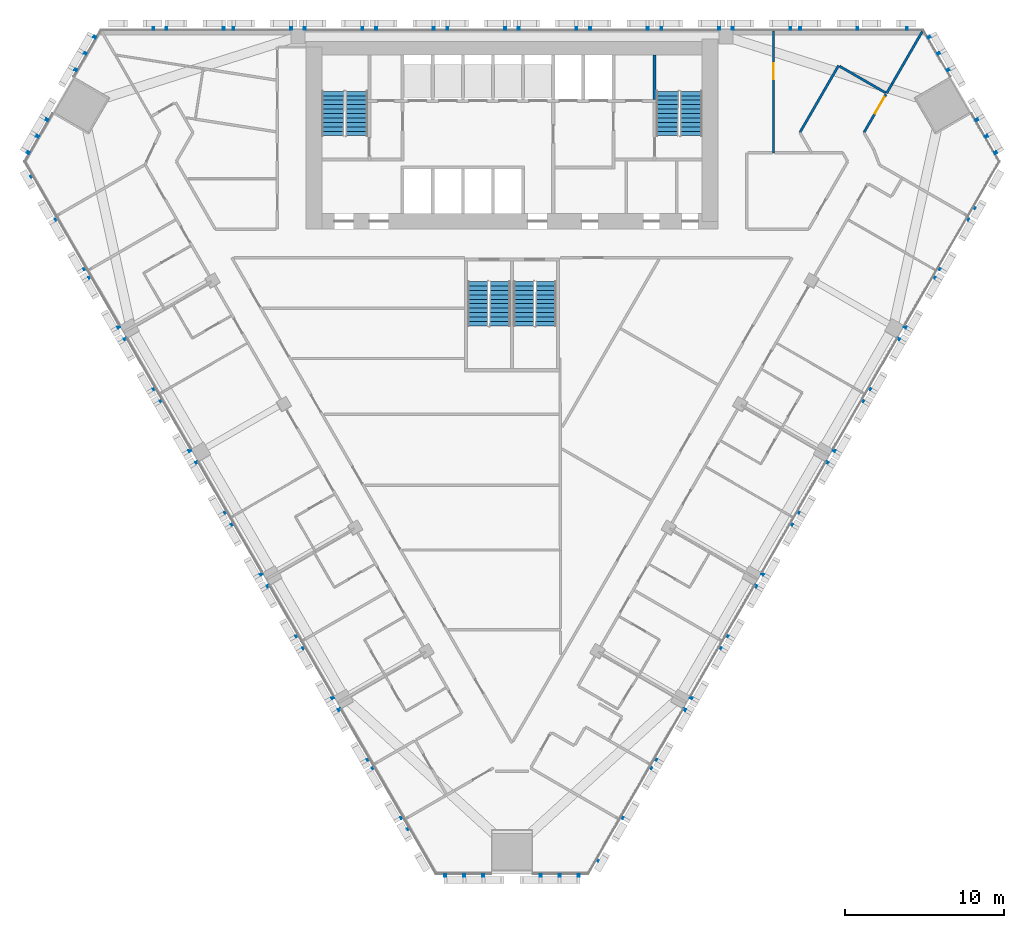
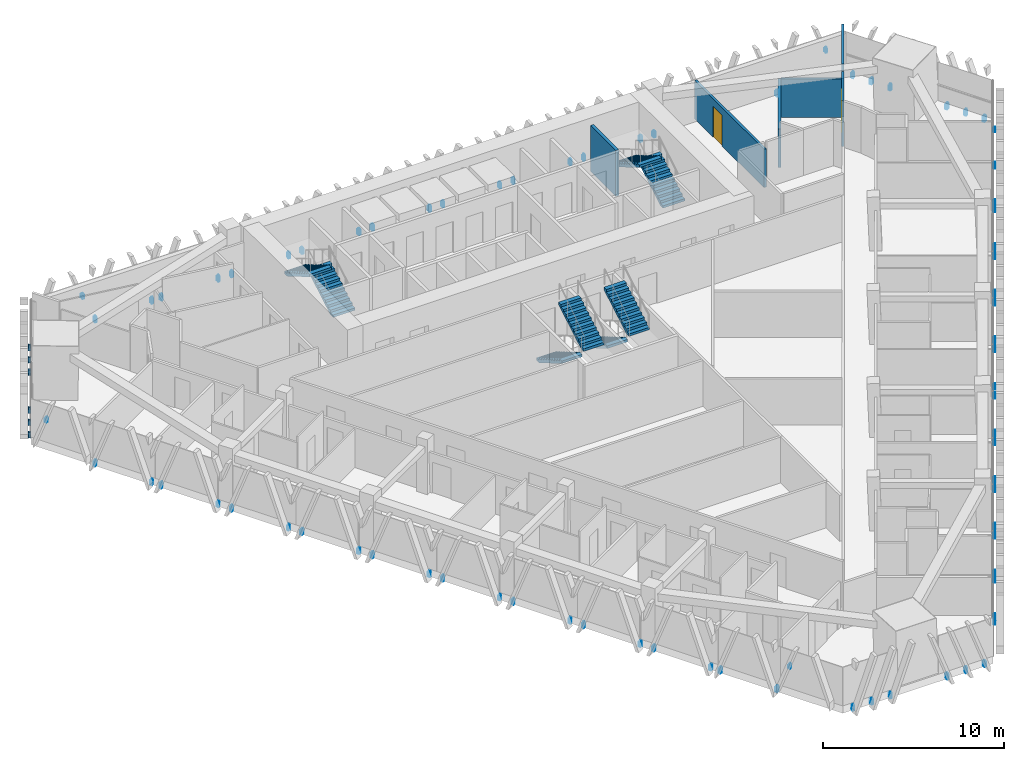
# One storey, part 15 of 18: 8 stair flights, 7 walls, 6 discrete accessories, 2 doors, 2 openings, 4 elements without a shape of their own.
"""IFC4 building model written with IfcOpenShell, lengths in metres."""

from ifc_helpers import new_model, si_unit, direction, frame, frame_2d, origin, place, context, subcontext, project, spatial, polyline, rectangle, outline, extrude, source, transform, mapped, material, layer, layer_set, type_object, element, fill, aggregate, save


model = new_model("IFC4")

# Units and contexts
model_context = context("Model", 3, precision=1e-05, world=origin(), true_north=direction((0.0, 1.0)))
body_context = subcontext(model_context, "Body", "Model", "MODEL_VIEW")
ifc_project = project(units=[si_unit("LENGTHUNIT", "METRE"), si_unit("AREAUNIT", "SQUARE_METRE"), si_unit("VOLUMEUNIT", "CUBIC_METRE"), si_unit("PLANEANGLEUNIT", "RADIAN"), si_unit("MASSUNIT", "GRAM", prefix="KILO")], contexts=[model_context])

# Site, building, storey
site_placement = place(None, origin())
site = spatial("IfcSite", under=ifc_project, at=site_placement, CompositionType="ELEMENT")
building_placement = place(site_placement, origin())
building = spatial("IfcBuilding", under=site, at=building_placement, Name="Altiplano Prism Tower", CompositionType="ELEMENT")
storey_placement = place(building_placement, frame((0.0, 0.0, 45.0)))
storey = spatial("IfcBuildingStorey", under=building, at=storey_placement, Name="L10", CompositionType="ELEMENT", Elevation=45.0)

# Wall, opening, door
ifc_material_1 = material(Name="Plasterboard on steel stud", Category="steel")
ifc_layer_1 = layer(ifc_material_1, 0.14990234375)
ifc_layer_set_1 = layer_set([ifc_layer_1], Name="Plasterboard on steel stud")
wall_type_1 = type_object("IfcWallType", Name="Partition 150 corridor", PredefinedType="PARTITIONING", material=ifc_layer_set_1)
wall_1_placement = place(storey_placement, frame((107.205322265625, 98.5, 0.0), z_axis=(0.0, 0.0, 1.0), x_axis=(0.499955621637, 0.866051024128, 0.0)))
wall_1 = element("IfcWall", 1, at=wall_1_placement, inside=storey, type_object=wall_type_1, Name="Partition P06 L10 028", PredefinedType="PARTITIONING", context=body_context, shape_type="SweptSolid", body=[
    extrude(rectangle(XDim=2.779541015625, YDim=0.14990234375, at=frame_2d((1.3896484375, 0.0))), origin(), (0.0, 0.0, 1.0), 3.10009765625),
])
opening_1_placement = place(wall_1_placement, frame((1.3798828125, 0.0, 0.0)))
opening_1 = element("IfcOpeningElement", 2, at=opening_1_placement, cuts=wall_1, Name="Opening D0407", PredefinedType="OPENING", context=body_context, shape_type="SweptSolid", body=[
    extrude(rectangle(XDim=1.199951171875, YDim=2.10009765625, at=frame_2d((0.60009765625, 1.050048828125))), frame((0.0, 0.08544921875, 0.0), z_axis=(0.0, -1.0, 0.0), x_axis=(1.0, 0.0, 0.0)), (0.0, 0.0, 1.0), 0.1708984375),
])
ifc_material_2 = material(Name="Timber", Category="wood")
door_type_1 = type_object("IfcDoorType", Name="Shared room door 1200 x 2100", OperationType="NOTDEFINED", PredefinedType="NOTDEFINED", material=ifc_material_2)
door_1_placement = place(opening_1_placement, origin())
door_1 = element("IfcDoor", 3, at=door_1_placement, inside=storey, type_object=door_type_1, Name="Door D0407", OperationType="SINGLE_SWING_RIGHT", OverallHeight=2.10009765625, OverallWidth=1.199951171875, PredefinedType="NOTDEFINED", context=body_context, shape_type="SweptSolid", body=[
    extrude(rectangle(XDim=1.199951171875, YDim=2.10009765625, at=frame_2d((0.60009765625, 1.050048828125))), frame((0.0, 0.02490234375, 0.0), z_axis=(0.0, -1.0, 0.0), x_axis=(1.0, 0.0, 0.0)), (0.0, 0.0, 1.0), 0.050048828125),
])
fill(opening_1, door_1)

wall_2_placement = place(storey_placement, frame((101.5, 97.216796875, 0.0), z_axis=(0.0, 0.0, 1.0), x_axis=(0.0, 1.0, 0.0)))
wall_2 = element("IfcWall", 4, at=wall_2_placement, inside=storey, type_object=wall_type_1, Name="Partition P06 L10 029", PredefinedType="PARTITIONING", context=body_context, shape_type="SweptSolid", body=[
    extrude(rectangle(XDim=7.68310546875, YDim=0.14990234375, at=frame_2d((3.841552734375, 0.0))), origin(), (0.0, 0.0, 1.0), 2.60009765625),
])
opening_2_placement = place(wall_2_placement, frame((4.653076171875, 0.0, 0.0)))
opening_2 = element("IfcOpeningElement", 5, at=opening_2_placement, cuts=wall_2, Name="Opening D0408", PredefinedType="OPENING", context=body_context, shape_type="SweptSolid", body=[
    extrude(rectangle(XDim=1.0, YDim=2.10009765625, at=frame_2d((0.5, 1.050048828125))), frame((0.0, 0.08544921875, 0.0), z_axis=(0.0, -1.0, 0.0), x_axis=(1.0, 0.0, 0.0)), (0.0, 0.0, 1.0), 0.1708984375),
])
door_type_2 = type_object("IfcDoorType", Name="Room door 1000 x 2100", OperationType="NOTDEFINED", PredefinedType="NOTDEFINED", material=ifc_material_2)
door_2_placement = place(opening_2_placement, origin())
door_2 = element("IfcDoor", 6, at=door_2_placement, inside=storey, type_object=door_type_2, Name="Door D0408", OperationType="SINGLE_SWING_LEFT", OverallHeight=2.10009765625, OverallWidth=1.0, PredefinedType="NOTDEFINED", context=body_context, shape_type="SweptSolid", body=[
    extrude(rectangle(XDim=1.0, YDim=2.10009765625, at=frame_2d((0.5, 1.050048828125))), frame((0.0, 0.02490234375, 0.0), z_axis=(0.0, -1.0, 0.0), x_axis=(1.0, 0.0, 0.0)), (0.0, 0.0, 1.0), 0.050048828125),
])
fill(opening_2, door_2)

# Walls
wall_3_placement = place(storey_placement, frame((108.567626953125, 101.009765625, 0.0), z_axis=(0.0, 0.0, 1.0), x_axis=(-0.866014461049, 0.500018952895, 0.0)))
element("IfcWall", 7, at=wall_3_placement, inside=storey, type_object=wall_type_1, Name="Partition P06 L10 030", PredefinedType="PARTITIONING", context=body_context, shape_type="SweptSolid", body=[
    extrude(rectangle(XDim=3.349853515625, YDim=0.14990234375, at=frame_2d((1.6748046875, 0.0))), origin(), (0.0, 0.0, 1.0), 2.60009765625),
])
wall_4_placement = place(storey_placement, frame((105.6015625, 102.72216796875, 0.0), z_axis=(0.0, 0.0, 1.0), x_axis=(-0.500011434042, -0.866018802236, 0.0)))
element("IfcWall", 8, at=wall_4_placement, inside=storey, type_object=wall_type_1, Name="Partition P06 L10 031", PredefinedType="PARTITIONING", context=body_context, shape_type="SweptSolid", body=[
    extrude(rectangle(XDim=4.87548828125, YDim=0.14990234375, at=frame_2d((2.437744140625, 0.0))), origin(), (0.0, 0.0, 1.0), 2.60009765625),
])
ifc_layer_2 = layer(ifc_material_1, 0.14990234375)
ifc_layer_set_2 = layer_set([ifc_layer_2], Name="Plasterboard on steel stud")
wall_type_2 = type_object("IfcWallType", Name="Partition 150 party", PredefinedType="PARTITIONING", material=ifc_layer_set_2)
wall_5_placement = place(storey_placement, frame((110.900390625, 104.89990234375, 0.0), z_axis=(0.0, 0.0, 1.0), x_axis=(-0.500012864272, -0.866017976466, 0.0)))
element("IfcWall", 9, at=wall_5_placement, inside=storey, type_object=wall_type_2, Name="Partition P01 L10 101", PredefinedType="PARTITIONING", context=body_context, shape_type="SweptSolid", body=[
    extrude(rectangle(XDim=3.85693359375, YDim=0.14990234375, at=frame_2d((1.928466796875, 0.0))), origin(), (0.0, 0.0, 1.0), 3.10009765625),
])
wall_6_placement = place(storey_placement, frame((108.971923828125, 101.559814453125, 0.0), z_axis=(0.0, 0.0, 1.0), x_axis=(-0.500085777205, -0.865975874628, 0.0)))
element("IfcWall", 10, at=wall_6_placement, inside=storey, type_object=wall_type_2, Name="Partition P01 L10 102", PredefinedType="PARTITIONING", context=body_context, shape_type="SweptSolid", body=[
    extrude(rectangle(XDim=0.6787109375, YDim=0.14990234375, at=frame_2d((0.33935546875, 0.0))), origin(), (0.0, 0.0, 1.0), 2.60009765625),
])
ifc_material_3 = material(Name="Concrete C60/75", Category="concrete")
ifc_layer_3 = layer(ifc_material_3, 0.199951171875)
ifc_layer_set_3 = layer_set([ifc_layer_3], Name="Concrete C60/75")
wall_type_3 = type_object("IfcWallType", Name="Stair wall 200", PredefinedType="SOLIDWALL", material=ifc_layer_set_3)
wall_7_placement = place(storey_placement, frame((94.0, 100.60009765625, 0.0), z_axis=(0.0, 0.0, 1.0), x_axis=(0.0, 1.0, 0.0)))
element("IfcWall", 11, at=wall_7_placement, inside=storey, type_object=wall_type_3, Name="Stair wall L10", PredefinedType="SOLIDWALL", context=body_context, shape_type="SweptSolid", body=[
    extrude(rectangle(XDim=2.7998046875, YDim=0.199951171875, at=frame_2d((1.39990234375, 0.0))), origin(), (0.0, 0.0, 1.0), 3.10009765625),
])

# Stair, stair flights
ifc_material_4 = material(Name="Concrete C40/50", Category="concrete")
stair_type_1 = type_object("IfcStairType", Name="Exit stair 1400", PredefinedType="HALF_TURN_STAIR", material=ifc_material_4)
stair_1_placement = place(storey_placement, origin())
stair_1 = element("IfcStair", 12, at=stair_1_placement, inside=storey, type_object=stair_type_1, Name="L10 Exit Stair 1", PredefinedType="HALF_TURN_STAIR")
stair_flight_type = type_object("IfcStairFlightType", Name="Stair flight concrete 150", PredefinedType="STRAIGHT", material=ifc_material_4)
stair_flight_1_placement = place(storey_placement, frame((75.199951171875, 98.300048828125, 0.0), z_axis=(0.0, 0.0, 1.0), x_axis=(0.0, 1.0, 0.0)))
stair_flight_1 = element("IfcStairFlight", 13, at=stair_flight_1_placement, type_object=stair_flight_type, Name="ST1 flight 1", NumberOfRisers=11, NumberOfTreads=10, PredefinedType="STRAIGHT", RiserHeight=0.163636364, TreadLength=0.28, context=body_context, shape_type="SweptSolid", body=[
    extrude(outline(polyline([(0.0, 0.0), (0.0, 0.16357421875), (0.280029296875, 0.16357421875), (0.280029296875, 0.327392578125), (0.56005859375, 0.327392578125), (0.56005859375, 0.490966796875), (0.840087890625, 0.490966796875), (0.840087890625, 0.654541015625), (1.1201171875, 0.654541015625), (1.1201171875, 0.818115234375), (1.39990234375, 0.818115234375), (1.39990234375, 0.98193359375), (1.679931640625, 0.98193359375), (1.679931640625, 1.1455078125), (1.9599609375, 1.1455078125), (1.9599609375, 1.30908203125), (2.239990234375, 1.30908203125), (2.239990234375, 1.47265625), (2.52001953125, 1.47265625), (2.52001953125, 1.636474609375), (2.800048828125, 1.636474609375), (2.800048828125, 1.800048828125), (2.800048828125, 1.462646484375), (0.297119140625, 0.0), (0.0, 0.0)])), frame((0.0, 0.699951171875, 0.0), z_axis=(0.0, -1.0, 0.0), x_axis=(1.0, 0.0, 0.0)), (0.0, 0.0, 1.0), 1.39990234375),
])
stair_flight_2_placement = place(storey_placement, frame((73.699951171875, 101.10009765625, 1.800048828125), z_axis=(0.0, 0.0, 1.0), x_axis=(0.0, -1.0, 0.0)))
stair_flight_2 = element("IfcStairFlight", 14, at=stair_flight_2_placement, type_object=stair_flight_type, Name="ST1 flight 2", NumberOfRisers=11, NumberOfTreads=10, PredefinedType="STRAIGHT", RiserHeight=0.163636364, TreadLength=0.28, context=body_context, shape_type="SweptSolid", body=[
    extrude(outline(polyline([(0.0, 0.0), (0.0, 0.16357421875), (0.280029296875, 0.16357421875), (0.280029296875, 0.327392578125), (0.56005859375, 0.327392578125), (0.56005859375, 0.490966796875), (0.840087890625, 0.490966796875), (0.840087890625, 0.654541015625), (1.1201171875, 0.654541015625), (1.1201171875, 0.818115234375), (1.39990234375, 0.818115234375), (1.39990234375, 0.98193359375), (1.679931640625, 0.98193359375), (1.679931640625, 1.1455078125), (1.9599609375, 1.1455078125), (1.9599609375, 1.30908203125), (2.239990234375, 1.30908203125), (2.239990234375, 1.47265625), (2.52001953125, 1.47265625), (2.52001953125, 1.636474609375), (2.800048828125, 1.636474609375), (2.800048828125, 1.800048828125), (2.800048828125, 1.462646484375), (0.297119140625, 0.0), (0.0, 0.0)])), frame((0.0, 0.699951171875, 0.0), z_axis=(0.0, -1.0, 0.0), x_axis=(1.0, 0.0, 0.0)), (0.0, 0.0, 1.0), 1.39990234375),
])
aggregate(stair_1, [stair_flight_1, stair_flight_2])

stair_2_placement = place(storey_placement, origin())
stair_2 = element("IfcStair", 15, at=stair_2_placement, inside=storey, type_object=stair_type_1, Name="L10 Exit Stair 2", PredefinedType="HALF_TURN_STAIR")
stair_flight_3_placement = place(storey_placement, frame((96.300048828125, 98.300048828125, 0.0), z_axis=(0.0, 0.0, 1.0), x_axis=(0.0, 1.0, 0.0)))
stair_flight_3 = element("IfcStairFlight", 16, at=stair_flight_3_placement, type_object=stair_flight_type, Name="ST2 flight 1", NumberOfRisers=11, NumberOfTreads=10, PredefinedType="STRAIGHT", RiserHeight=0.163636364, TreadLength=0.28, context=body_context, shape_type="SweptSolid", body=[
    extrude(outline(polyline([(0.0, 0.0), (0.0, 0.16357421875), (0.280029296875, 0.16357421875), (0.280029296875, 0.327392578125), (0.56005859375, 0.327392578125), (0.56005859375, 0.490966796875), (0.840087890625, 0.490966796875), (0.840087890625, 0.654541015625), (1.1201171875, 0.654541015625), (1.1201171875, 0.818115234375), (1.39990234375, 0.818115234375), (1.39990234375, 0.98193359375), (1.679931640625, 0.98193359375), (1.679931640625, 1.1455078125), (1.9599609375, 1.1455078125), (1.9599609375, 1.30908203125), (2.239990234375, 1.30908203125), (2.239990234375, 1.47265625), (2.52001953125, 1.47265625), (2.52001953125, 1.636474609375), (2.800048828125, 1.636474609375), (2.800048828125, 1.800048828125), (2.800048828125, 1.462646484375), (0.297119140625, 0.0), (0.0, 0.0)])), frame((0.0, 0.699951171875, 0.0), z_axis=(0.0, -1.0, 0.0), x_axis=(1.0, 0.0, 0.0)), (0.0, 0.0, 1.0), 1.39990234375),
])
stair_flight_4_placement = place(storey_placement, frame((94.800048828125, 101.10009765625, 1.800048828125), z_axis=(0.0, 0.0, 1.0), x_axis=(0.0, -1.0, 0.0)))
stair_flight_4 = element("IfcStairFlight", 17, at=stair_flight_4_placement, type_object=stair_flight_type, Name="ST2 flight 2", NumberOfRisers=11, NumberOfTreads=10, PredefinedType="STRAIGHT", RiserHeight=0.163636364, TreadLength=0.28, context=body_context, shape_type="SweptSolid", body=[
    extrude(outline(polyline([(0.0, 0.0), (0.0, 0.16357421875), (0.280029296875, 0.16357421875), (0.280029296875, 0.327392578125), (0.56005859375, 0.327392578125), (0.56005859375, 0.490966796875), (0.840087890625, 0.490966796875), (0.840087890625, 0.654541015625), (1.1201171875, 0.654541015625), (1.1201171875, 0.818115234375), (1.39990234375, 0.818115234375), (1.39990234375, 0.98193359375), (1.679931640625, 0.98193359375), (1.679931640625, 1.1455078125), (1.9599609375, 1.1455078125), (1.9599609375, 1.30908203125), (2.239990234375, 1.30908203125), (2.239990234375, 1.47265625), (2.52001953125, 1.47265625), (2.52001953125, 1.636474609375), (2.800048828125, 1.636474609375), (2.800048828125, 1.800048828125), (2.800048828125, 1.462646484375), (0.297119140625, 0.0), (0.0, 0.0)])), frame((0.0, 0.699951171875, 0.0), z_axis=(0.0, -1.0, 0.0), x_axis=(1.0, 0.0, 0.0)), (0.0, 0.0, 1.0), 1.39990234375),
])
aggregate(stair_2, [stair_flight_3, stair_flight_4])

stair_type_2 = type_object("IfcStairType", Name="Exit stair 1300", PredefinedType="HALF_TURN_STAIR", material=ifc_material_4)
stair_3_placement = place(storey_placement, origin())
stair_3 = element("IfcStair", 18, at=stair_3_placement, inside=storey, type_object=stair_type_2, Name="L10 Exit Stair 3A", PredefinedType="HALF_TURN_STAIR")
stair_flight_5_placement = place(storey_placement, frame((82.85009765625, 89.10009765625, 0.0), z_axis=(0.0, 0.0, 1.0), x_axis=(0.0, -1.0, 0.0)))
stair_flight_5 = element("IfcStairFlight", 19, at=stair_flight_5_placement, type_object=stair_flight_type, Name="ST3A flight 1", NumberOfRisers=11, NumberOfTreads=10, PredefinedType="STRAIGHT", RiserHeight=0.163636364, TreadLength=0.28, context=body_context, shape_type="SweptSolid", body=[
    extrude(outline(polyline([(0.0, 0.0), (0.0, 0.16357421875), (0.280029296875, 0.16357421875), (0.280029296875, 0.327392578125), (0.56005859375, 0.327392578125), (0.56005859375, 0.490966796875), (0.840087890625, 0.490966796875), (0.840087890625, 0.654541015625), (1.1201171875, 0.654541015625), (1.1201171875, 0.818115234375), (1.39990234375, 0.818115234375), (1.39990234375, 0.98193359375), (1.679931640625, 0.98193359375), (1.679931640625, 1.1455078125), (1.9599609375, 1.1455078125), (1.9599609375, 1.30908203125), (2.239990234375, 1.30908203125), (2.239990234375, 1.47265625), (2.52001953125, 1.47265625), (2.52001953125, 1.636474609375), (2.800048828125, 1.636474609375), (2.800048828125, 1.800048828125), (2.800048828125, 1.462646484375), (0.297119140625, 0.0), (0.0, 0.0)])), frame((0.0, 0.64990234375, 0.0), z_axis=(0.0, -1.0, 0.0), x_axis=(1.0, 0.0, 0.0)), (0.0, 0.0, 1.0), 1.300048828125),
])
stair_flight_6_placement = place(storey_placement, frame((84.25, 86.300048828125, 1.800048828125), z_axis=(0.0, 0.0, 1.0), x_axis=(0.0, 1.0, 0.0)))
stair_flight_6 = element("IfcStairFlight", 20, at=stair_flight_6_placement, type_object=stair_flight_type, Name="ST3A flight 2", NumberOfRisers=11, NumberOfTreads=10, PredefinedType="STRAIGHT", RiserHeight=0.163636364, TreadLength=0.28, context=body_context, shape_type="SweptSolid", body=[
    extrude(outline(polyline([(0.0, 0.0), (0.0, 0.16357421875), (0.280029296875, 0.16357421875), (0.280029296875, 0.327392578125), (0.56005859375, 0.327392578125), (0.56005859375, 0.490966796875), (0.840087890625, 0.490966796875), (0.840087890625, 0.654541015625), (1.1201171875, 0.654541015625), (1.1201171875, 0.818115234375), (1.39990234375, 0.818115234375), (1.39990234375, 0.98193359375), (1.679931640625, 0.98193359375), (1.679931640625, 1.1455078125), (1.9599609375, 1.1455078125), (1.9599609375, 1.30908203125), (2.239990234375, 1.30908203125), (2.239990234375, 1.47265625), (2.52001953125, 1.47265625), (2.52001953125, 1.636474609375), (2.800048828125, 1.636474609375), (2.800048828125, 1.800048828125), (2.800048828125, 1.462646484375), (0.297119140625, 0.0), (0.0, 0.0)])), frame((0.0, 0.64990234375, 0.0), z_axis=(0.0, -1.0, 0.0), x_axis=(1.0, 0.0, 0.0)), (0.0, 0.0, 1.0), 1.300048828125),
])
aggregate(stair_3, [stair_flight_5, stair_flight_6])

stair_4_placement = place(storey_placement, origin())
stair_4 = element("IfcStair", 21, at=stair_4_placement, inside=storey, type_object=stair_type_2, Name="L10 Exit Stair 3B", PredefinedType="HALF_TURN_STAIR")
stair_flight_7_placement = place(storey_placement, frame((85.75, 89.10009765625, 0.0), z_axis=(0.0, 0.0, 1.0), x_axis=(0.0, -1.0, 0.0)))
stair_flight_7 = element("IfcStairFlight", 22, at=stair_flight_7_placement, type_object=stair_flight_type, Name="ST3B flight 1", NumberOfRisers=11, NumberOfTreads=10, PredefinedType="STRAIGHT", RiserHeight=0.163636364, TreadLength=0.28, context=body_context, shape_type="SweptSolid", body=[
    extrude(outline(polyline([(0.0, 0.0), (0.0, 0.16357421875), (0.280029296875, 0.16357421875), (0.280029296875, 0.327392578125), (0.56005859375, 0.327392578125), (0.56005859375, 0.490966796875), (0.840087890625, 0.490966796875), (0.840087890625, 0.654541015625), (1.1201171875, 0.654541015625), (1.1201171875, 0.818115234375), (1.39990234375, 0.818115234375), (1.39990234375, 0.98193359375), (1.679931640625, 0.98193359375), (1.679931640625, 1.1455078125), (1.9599609375, 1.1455078125), (1.9599609375, 1.30908203125), (2.239990234375, 1.30908203125), (2.239990234375, 1.47265625), (2.52001953125, 1.47265625), (2.52001953125, 1.636474609375), (2.800048828125, 1.636474609375), (2.800048828125, 1.800048828125), (2.800048828125, 1.462646484375), (0.297119140625, 0.0), (0.0, 0.0)])), frame((0.0, 0.64990234375, 0.0), z_axis=(0.0, -1.0, 0.0), x_axis=(1.0, 0.0, 0.0)), (0.0, 0.0, 1.0), 1.300048828125),
])
stair_flight_8_placement = place(storey_placement, frame((87.14990234375, 86.300048828125, 1.800048828125), z_axis=(0.0, 0.0, 1.0), x_axis=(0.0, 1.0, 0.0)))
stair_flight_8 = element("IfcStairFlight", 23, at=stair_flight_8_placement, type_object=stair_flight_type, Name="ST3B flight 2", NumberOfRisers=11, NumberOfTreads=10, PredefinedType="STRAIGHT", RiserHeight=0.163636364, TreadLength=0.28, context=body_context, shape_type="SweptSolid", body=[
    extrude(outline(polyline([(0.0, 0.0), (0.0, 0.16357421875), (0.280029296875, 0.16357421875), (0.280029296875, 0.327392578125), (0.56005859375, 0.327392578125), (0.56005859375, 0.490966796875), (0.840087890625, 0.490966796875), (0.840087890625, 0.654541015625), (1.1201171875, 0.654541015625), (1.1201171875, 0.818115234375), (1.39990234375, 0.818115234375), (1.39990234375, 0.98193359375), (1.679931640625, 0.98193359375), (1.679931640625, 1.1455078125), (1.9599609375, 1.1455078125), (1.9599609375, 1.30908203125), (2.239990234375, 1.30908203125), (2.239990234375, 1.47265625), (2.52001953125, 1.47265625), (2.52001953125, 1.636474609375), (2.800048828125, 1.636474609375), (2.800048828125, 1.800048828125), (2.800048828125, 1.462646484375), (0.297119140625, 0.0), (0.0, 0.0)])), frame((0.0, 0.64990234375, 0.0), z_axis=(0.0, -1.0, 0.0), x_axis=(1.0, 0.0, 0.0)), (0.0, 0.0, 1.0), 1.300048828125),
])
aggregate(stair_4, [stair_flight_7, stair_flight_8])

# Discrete accessories
ifc_material_5 = material(Name="Stainless steel", Category="steel")
discrete_accessory_type = type_object("IfcDiscreteAccessoryType", Name="Stone fin fixing prongs", PredefinedType="USERDEFINED", material=ifc_material_5)
shared_shape_1 = source(origin(), body_context, "Body", "SweptSolid", [
    extrude(outline(polyline([(-1.21142578125, 1.934814453125), (-1.091552734375, 1.934814453125), (-1.091552734375, 2.234619140625), (-1.21142578125, 2.234619140625), (-1.21142578125, 1.934814453125)])), frame((0.0, 0.0, 0.0), z_axis=(0.0, -1.0, 0.0), x_axis=(1.0, 0.0, 0.0)), (0.0, 0.0, 1.0), 0.14990234375),
])
shared_shape_2 = source(origin(), body_context, "Body", "SweptSolid", [
    extrude(outline(polyline([(-1.86962890625, 0.06005859375), (-1.74951171875, 0.06005859375), (-1.74951171875, 0.43994140625), (-1.86962890625, 0.43994140625), (-1.86962890625, 0.06005859375)])), frame((0.0, 0.0, 0.0), z_axis=(0.0, -1.0, 0.0), x_axis=(1.0, 0.0, 0.0)), (0.0, 0.0, 1.0), 0.14990234375),
    extrude(outline(polyline([(1.74951171875, 0.06005859375), (1.86962890625, 0.06005859375), (1.86962890625, 0.43994140625), (1.74951171875, 0.43994140625), (1.74951171875, 0.06005859375)])), frame((0.0, 0.0, 0.0), z_axis=(0.0, -1.0, 0.0), x_axis=(1.0, 0.0, 0.0)), (0.0, 0.0, 1.0), 0.14990234375),
])
shared_shape_3 = source(origin(), body_context, "Body", "SweptSolid", [
    extrude(outline(polyline([(-1.87939453125, 0.06005859375), (-1.75927734375, 0.06005859375), (-1.75927734375, 0.43994140625), (-1.87939453125, 0.43994140625), (-1.87939453125, 0.06005859375)])), frame((0.0, 0.0, 0.0), z_axis=(0.0, -1.0, 0.0), x_axis=(1.0, 0.0, 0.0)), (0.0, 0.0, 1.0), 0.14990234375),
    extrude(outline(polyline([(1.75927734375, 0.06005859375), (1.87939453125, 0.06005859375), (1.87939453125, 0.43994140625), (1.75927734375, 0.43994140625), (1.75927734375, 0.06005859375)])), frame((0.0, 0.0, 0.0), z_axis=(0.0, -1.0, 0.0), x_axis=(1.0, 0.0, 0.0)), (0.0, 0.0, 1.0), 0.14990234375),
])
discrete_accessory_1_placement = place(storey_placement, origin())
element("IfcDiscreteAccessory", 24, at=discrete_accessory_1_placement, inside=storey, type_object=discrete_accessory_type, Name="Fin fixings L10 north face", ObjectType="BRACKET", PredefinedType="USERDEFINED", context=body_context, shape_type="MappedRepresentation", body=[
    mapped(shared_shape_1, transform((108.7685546875, 105.0, -0.5), x_axis=(-1.0, 0.0, 0.0), y_axis=(0.0, -1.0, 0.0), z_axis=(0.0, 0.0, 1.0))),
    mapped(shared_shape_2, transform((104.989501953125, 105.0, -0.5), x_axis=(-1.0, 0.0, 0.0), y_axis=(0.0, -1.0, 0.0), z_axis=(0.0, 0.0, 1.0))),
    mapped(shared_shape_3, transform((100.75, 105.0, -0.5), x_axis=(-1.0, 0.0, 0.0), y_axis=(0.0, -1.0, 0.0), z_axis=(0.0, 0.0, 1.0))),
    mapped(shared_shape_3, transform((96.25, 105.0, -0.5), x_axis=(-1.0, 0.0, 0.0), y_axis=(0.0, -1.0, 0.0), z_axis=(0.0, 0.0, 1.0))),
    mapped(shared_shape_3, transform((91.75, 105.0, -0.5), x_axis=(-1.0, 0.0, 0.0), y_axis=(0.0, -1.0, 0.0), z_axis=(0.0, 0.0, 1.0))),
    mapped(shared_shape_3, transform((87.25, 105.0, -0.5), x_axis=(-1.0, 0.0, 0.0), y_axis=(0.0, -1.0, 0.0), z_axis=(0.0, 0.0, 1.0))),
    mapped(shared_shape_3, transform((82.75, 105.0, -0.5), x_axis=(-1.0, 0.0, 0.0), y_axis=(0.0, -1.0, 0.0), z_axis=(0.0, 0.0, 1.0))),
    mapped(shared_shape_3, transform((78.25, 105.0, -0.5), x_axis=(-1.0, 0.0, 0.0), y_axis=(0.0, -1.0, 0.0), z_axis=(0.0, 0.0, 1.0))),
    mapped(shared_shape_3, transform((73.75, 105.0, -0.5), x_axis=(-1.0, 0.0, 0.0), y_axis=(0.0, -1.0, 0.0), z_axis=(0.0, 0.0, 1.0))),
    mapped(shared_shape_3, transform((69.25, 105.0, -0.5), x_axis=(-1.0, 0.0, 0.0), y_axis=(0.0, -1.0, 0.0), z_axis=(0.0, 0.0, 1.0))),
    mapped(shared_shape_2, transform((65.010498046875, 105.0, -0.5), x_axis=(-1.0, 0.0, 0.0), y_axis=(0.0, -1.0, 0.0), z_axis=(0.0, 0.0, 1.0))),
    mapped(shared_shape_1, transform((61.2314453125, 105.0, -0.5), x_axis=(-1.0, 0.0, 0.0), y_axis=(0.0, -1.0, 0.0), z_axis=(0.0, 0.0, 1.0))),
])
discrete_accessory_2_placement = place(storey_placement, origin())
element("IfcDiscreteAccessory", 25, at=discrete_accessory_2_placement, inside=storey, type_object=discrete_accessory_type, Name="Fin fixings L10 south-west face", ObjectType="BRACKET", PredefinedType="USERDEFINED", context=body_context, shape_type="MappedRepresentation", body=[
    mapped(shared_shape_1, transform((55.3291015625, 94.77685546875, -0.5), x_axis=(0.50000000184, -0.866025402722, 0.0), y_axis=(0.866025402722, 0.50000000184, 0.0), z_axis=(0.0, 0.0, 1.0))),
    mapped(shared_shape_2, transform((57.21875, 91.504150390625, -0.5), x_axis=(0.50000000184, -0.866025402722, 0.0), y_axis=(0.866025402722, 0.50000000184, 0.0), z_axis=(0.0, 0.0, 1.0))),
    mapped(shared_shape_3, transform((59.33837890625, 87.83251953125, -0.5), x_axis=(0.50000000184, -0.866025402722, 0.0), y_axis=(0.866025402722, 0.50000000184, 0.0), z_axis=(0.0, 0.0, 1.0))),
    mapped(shared_shape_3, transform((61.58837890625, 83.935546875, -0.5), x_axis=(0.50000000184, -0.866025402722, 0.0), y_axis=(0.866025402722, 0.50000000184, 0.0), z_axis=(0.0, 0.0, 1.0))),
    mapped(shared_shape_3, transform((63.83837890625, 80.038330078125, -0.5), x_axis=(0.50000000184, -0.866025402722, 0.0), y_axis=(0.866025402722, 0.50000000184, 0.0), z_axis=(0.0, 0.0, 1.0))),
    mapped(shared_shape_3, transform((66.08837890625, 76.141357421875, -0.5), x_axis=(0.50000000184, -0.866025402722, 0.0), y_axis=(0.866025402722, 0.50000000184, 0.0), z_axis=(0.0, 0.0, 1.0))),
    mapped(shared_shape_3, transform((68.33837890625, 72.244140625, -0.5), x_axis=(0.50000000184, -0.866025402722, 0.0), y_axis=(0.866025402722, 0.50000000184, 0.0), z_axis=(0.0, 0.0, 1.0))),
    mapped(shared_shape_3, transform((70.58837890625, 68.34716796875, -0.5), x_axis=(0.50000000184, -0.866025402722, 0.0), y_axis=(0.866025402722, 0.50000000184, 0.0), z_axis=(0.0, 0.0, 1.0))),
    mapped(shared_shape_3, transform((72.83837890625, 64.449951171875, -0.5), x_axis=(0.50000000184, -0.866025402722, 0.0), y_axis=(0.866025402722, 0.50000000184, 0.0), z_axis=(0.0, 0.0, 1.0))),
    mapped(shared_shape_3, transform((75.08837890625, 60.552734375, -0.5), x_axis=(0.50000000184, -0.866025402722, 0.0), y_axis=(0.866025402722, 0.50000000184, 0.0), z_axis=(0.0, 0.0, 1.0))),
    mapped(shared_shape_2, transform((77.208251953125, 56.88134765625, -0.5), x_axis=(0.50000000184, -0.866025402722, 0.0), y_axis=(0.866025402722, 0.50000000184, 0.0), z_axis=(0.0, 0.0, 1.0))),
    mapped(shared_shape_1, transform((79.09765625, 53.608642578125, -0.5), x_axis=(0.50000000184, -0.866025402722, 0.0), y_axis=(0.866025402722, 0.50000000184, 0.0), z_axis=(0.0, 0.0, 1.0))),
])
discrete_accessory_3_placement = place(storey_placement, origin())
element("IfcDiscreteAccessory", 26, at=discrete_accessory_3_placement, inside=storey, type_object=discrete_accessory_type, Name="Fin fixings L10 south-east face", ObjectType="BRACKET", PredefinedType="USERDEFINED", context=body_context, shape_type="MappedRepresentation", body=[
    mapped(shared_shape_1, transform((90.90234375, 53.608642578125, -0.5), x_axis=(0.50000000184, 0.866025402722, 0.0), y_axis=(-0.866025402722, 0.50000000184, 0.0), z_axis=(0.0, 0.0, 1.0))),
    mapped(shared_shape_2, transform((92.791748046875, 56.88134765625, -0.5), x_axis=(0.50000000184, 0.866025402722, 0.0), y_axis=(-0.866025402722, 0.50000000184, 0.0), z_axis=(0.0, 0.0, 1.0))),
    mapped(shared_shape_3, transform((94.91162109375, 60.552734375, -0.5), x_axis=(0.50000000184, 0.866025402722, 0.0), y_axis=(-0.866025402722, 0.50000000184, 0.0), z_axis=(0.0, 0.0, 1.0))),
    mapped(shared_shape_3, transform((97.16162109375, 64.449951171875, -0.5), x_axis=(0.50000000184, 0.866025402722, 0.0), y_axis=(-0.866025402722, 0.50000000184, 0.0), z_axis=(0.0, 0.0, 1.0))),
    mapped(shared_shape_3, transform((99.41162109375, 68.34716796875, -0.5), x_axis=(0.50000000184, 0.866025402722, 0.0), y_axis=(-0.866025402722, 0.50000000184, 0.0), z_axis=(0.0, 0.0, 1.0))),
    mapped(shared_shape_3, transform((101.66162109375, 72.244140625, -0.5), x_axis=(0.50000000184, 0.866025402722, 0.0), y_axis=(-0.866025402722, 0.50000000184, 0.0), z_axis=(0.0, 0.0, 1.0))),
    mapped(shared_shape_3, transform((103.91162109375, 76.141357421875, -0.5), x_axis=(0.50000000184, 0.866025402722, 0.0), y_axis=(-0.866025402722, 0.50000000184, 0.0), z_axis=(0.0, 0.0, 1.0))),
    mapped(shared_shape_3, transform((106.16162109375, 80.038330078125, -0.5), x_axis=(0.50000000184, 0.866025402722, 0.0), y_axis=(-0.866025402722, 0.50000000184, 0.0), z_axis=(0.0, 0.0, 1.0))),
    mapped(shared_shape_3, transform((108.41162109375, 83.935546875, -0.5), x_axis=(0.50000000184, 0.866025402722, 0.0), y_axis=(-0.866025402722, 0.50000000184, 0.0), z_axis=(0.0, 0.0, 1.0))),
    mapped(shared_shape_3, transform((110.66162109375, 87.83251953125, -0.5), x_axis=(0.50000000184, 0.866025402722, 0.0), y_axis=(-0.866025402722, 0.50000000184, 0.0), z_axis=(0.0, 0.0, 1.0))),
    mapped(shared_shape_2, transform((112.78125, 91.504150390625, -0.5), x_axis=(0.50000000184, 0.866025402722, 0.0), y_axis=(-0.866025402722, 0.50000000184, 0.0), z_axis=(0.0, 0.0, 1.0))),
    mapped(shared_shape_1, transform((114.6708984375, 94.77685546875, -0.5), x_axis=(0.50000000184, 0.866025402722, 0.0), y_axis=(-0.866025402722, 0.50000000184, 0.0), z_axis=(0.0, 0.0, 1.0))),
])
shared_shape_4 = source(origin(), body_context, "Body", "SweptSolid", [
    extrude(outline(polyline([(-4.26953125, 0.06005859375), (-4.149658203125, 0.06005859375), (-4.149658203125, 0.43994140625), (-4.26953125, 0.43994140625), (-4.26953125, 0.06005859375)])), frame((0.0, 0.0, 0.0), z_axis=(0.0, -1.0, 0.0), x_axis=(1.0, 0.0, 0.0)), (0.0, 0.0, 1.0), 0.14990234375),
    extrude(outline(polyline([(-3.079345703125, 0.06005859375), (-2.959228515625, 0.06005859375), (-2.959228515625, 0.43994140625), (-3.079345703125, 0.43994140625), (-3.079345703125, 0.06005859375)])), frame((0.0, 0.0, 0.0), z_axis=(0.0, -1.0, 0.0), x_axis=(1.0, 0.0, 0.0)), (0.0, 0.0, 1.0), 0.14990234375),
    extrude(outline(polyline([(-1.87939453125, 0.06005859375), (-1.75927734375, 0.06005859375), (-1.75927734375, 0.43994140625), (-1.87939453125, 0.43994140625), (-1.87939453125, 0.06005859375)])), frame((0.0, 0.0, 0.0), z_axis=(0.0, -1.0, 0.0), x_axis=(1.0, 0.0, 0.0)), (0.0, 0.0, 1.0), 0.14990234375),
    extrude(outline(polyline([(1.75927734375, 0.06005859375), (1.87939453125, 0.06005859375), (1.87939453125, 0.43994140625), (1.75927734375, 0.43994140625), (1.75927734375, 0.06005859375)])), frame((0.0, 0.0, 0.0), z_axis=(0.0, -1.0, 0.0), x_axis=(1.0, 0.0, 0.0)), (0.0, 0.0, 1.0), 0.14990234375),
    extrude(outline(polyline([(2.959228515625, 0.06005859375), (3.079345703125, 0.06005859375), (3.079345703125, 0.43994140625), (2.959228515625, 0.43994140625), (2.959228515625, 0.06005859375)])), frame((0.0, 0.0, 0.0), z_axis=(0.0, -1.0, 0.0), x_axis=(1.0, 0.0, 0.0)), (0.0, 0.0, 1.0), 0.14990234375),
    extrude(outline(polyline([(4.149658203125, 0.06005859375), (4.26953125, 0.06005859375), (4.26953125, 0.43994140625), (4.149658203125, 0.43994140625), (4.149658203125, 0.06005859375)])), frame((0.0, 0.0, 0.0), z_axis=(0.0, -1.0, 0.0), x_axis=(1.0, 0.0, 0.0)), (0.0, 0.0, 1.0), 0.14990234375),
])
discrete_accessory_4_placement = place(storey_placement, origin())
element("IfcDiscreteAccessory", 27, at=discrete_accessory_4_placement, inside=storey, type_object=discrete_accessory_type, Name="Fin fixings L10 north-west chamfer", ObjectType="BRACKET", PredefinedType="USERDEFINED", context=body_context, shape_type="MappedRepresentation", body=[
    mapped(shared_shape_4, transform((56.63818359375, 100.83642578125, -0.5), x_axis=(-0.500000006889, -0.866025399807, 0.0), y_axis=(0.866025399807, -0.500000006889, 0.0), z_axis=(0.0, 0.0, 1.0))),
])
discrete_accessory_5_placement = place(storey_placement, origin())
element("IfcDiscreteAccessory", 28, at=discrete_accessory_5_placement, inside=storey, type_object=discrete_accessory_type, Name="Fin fixings L10 south chamfer", ObjectType="BRACKET", PredefinedType="USERDEFINED", context=body_context, shape_type="MappedRepresentation", body=[
    mapped(shared_shape_4, transform((85.0, 51.71240234375, -0.5), x_axis=(1.0, 0.0, 0.0), y_axis=(0.0, 1.0, 0.0), z_axis=(0.0, 0.0, 1.0))),
])
discrete_accessory_6_placement = place(storey_placement, origin())
element("IfcDiscreteAccessory", 29, at=discrete_accessory_6_placement, inside=storey, type_object=discrete_accessory_type, Name="Fin fixings L10 north-east chamfer", ObjectType="BRACKET", PredefinedType="USERDEFINED", context=body_context, shape_type="MappedRepresentation", body=[
    mapped(shared_shape_4, transform((113.36181640625, 100.83642578125, -0.5), x_axis=(-0.500000006889, 0.866025399807, 0.0), y_axis=(-0.866025399807, -0.500000006889, 0.0), z_axis=(0.0, 0.0, 1.0))),
])

save(model, "model.ifc")
